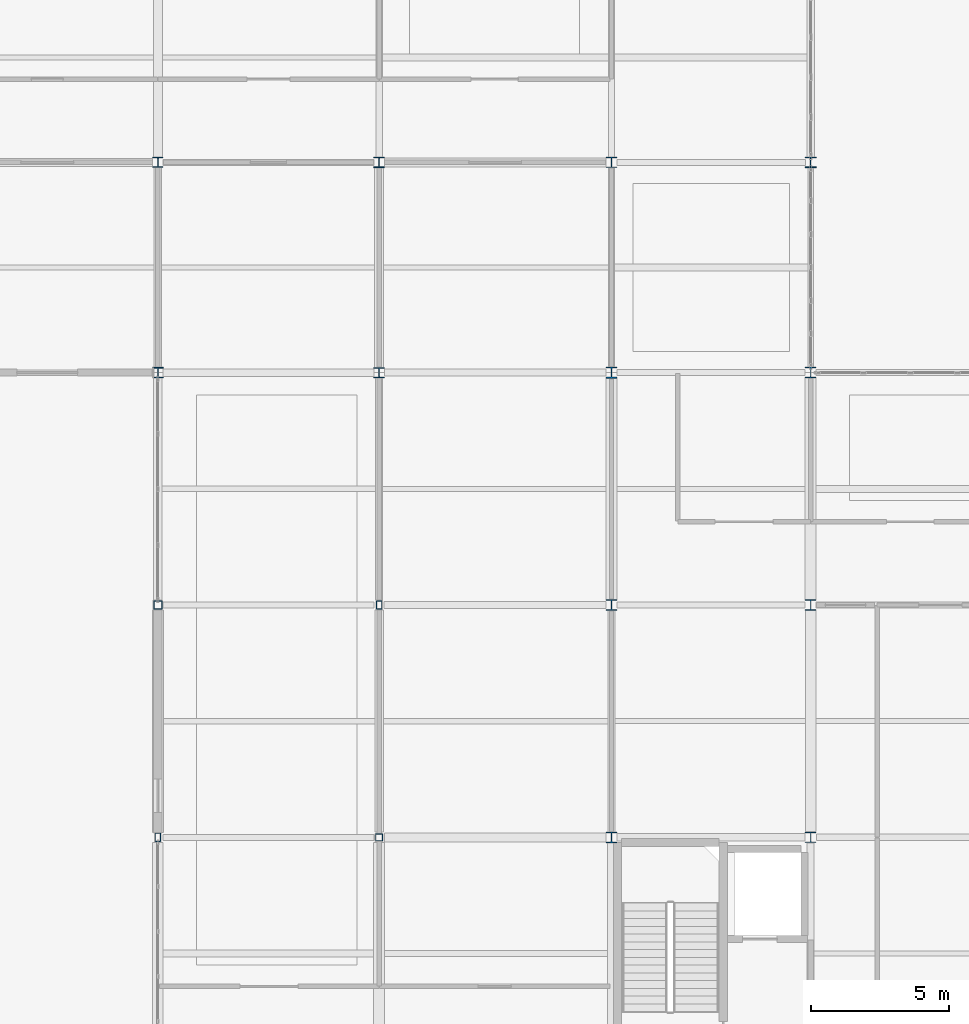
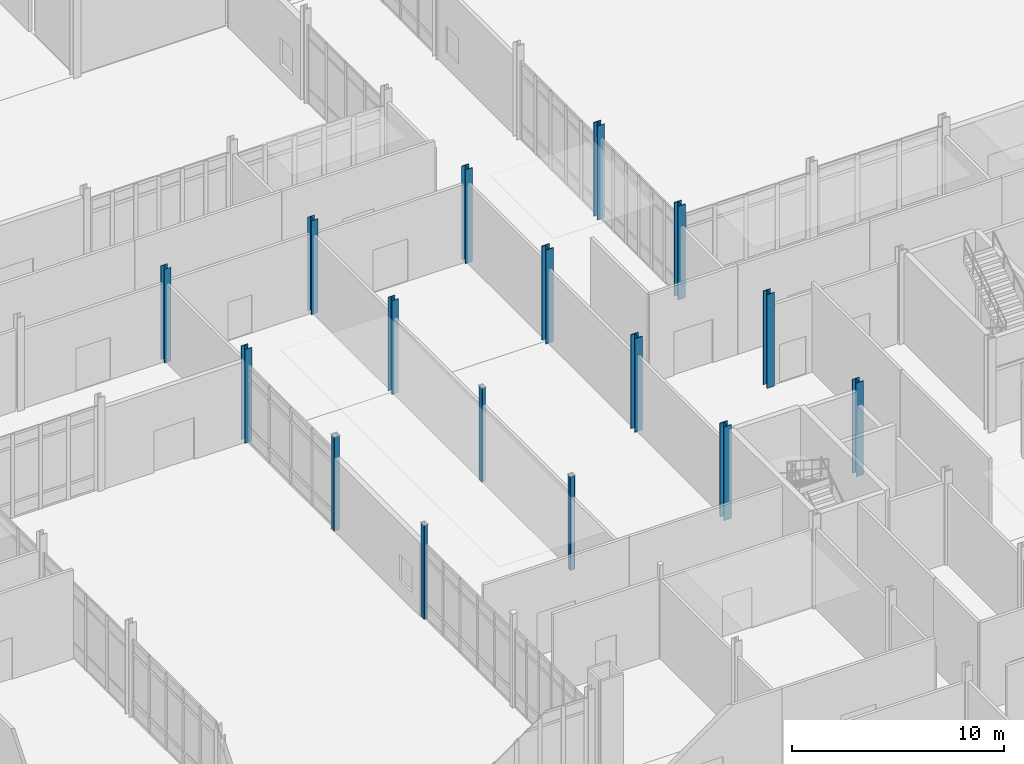
# One storey, part 7 of 229: 16 columns.
"""IFC4 building model written with IfcOpenShell, lengths in metres."""

from ifc_helpers import new_model, si_unit, direction, frame, origin, origin_2d, place, context, subcontext, project, spatial, hollow_rectangle, i_section, extrude, material, material_profile, profile_set, type_object, element, save


model = new_model("IFC4")

# Units and contexts
model_context = context("Model", 3, precision=1e-05, world=origin(), true_north=direction((0.0, 1.0)))
body_context = subcontext(model_context, "Body", "Model", "MODEL_VIEW")
ifc_project = project(units=[si_unit("LENGTHUNIT", "METRE"), si_unit("AREAUNIT", "SQUARE_METRE"), si_unit("VOLUMEUNIT", "CUBIC_METRE"), si_unit("PLANEANGLEUNIT", "RADIAN"), si_unit("MASSUNIT", "GRAM", prefix="KILO")], contexts=[model_context])

# Site, building, storey
site_placement = place(None, origin())
site = spatial("IfcSite", under=ifc_project, at=site_placement, CompositionType="ELEMENT")
building_placement = place(site_placement, origin())
building = spatial("IfcBuilding", under=site, at=building_placement, Name="Calvrana Isthmian Art Gallery", CompositionType="ELEMENT")
storey_placement = place(building_placement, origin())
storey = spatial("IfcBuildingStorey", under=building, at=storey_placement, Name="L00", CompositionType="ELEMENT", Elevation=0.0)

# Columns
ifc_material_1 = material(Name="Steel ASTM A500 Gr C", Category="steel")
ifc_material_profile_1 = material_profile(ifc_material_1, hollow_rectangle(XDim=0.25390625, YDim=0.25390625, WallThickness=0.0126953125, OuterFilletRadius=0.02490234375, at=origin_2d()), Name="HSS254X254X12.7")
ifc_profile_set_1 = profile_set([ifc_material_profile_1], Name="Steel ASTM A500 Gr C")
column_type_1 = type_object("IfcColumnType", Name="COL-STL-HSS254X254X12.7", PredefinedType="COLUMN", material=ifc_profile_set_1)
column_1_placement = place(storey_placement, frame((104.39990234375, 30.0, 0.0), z_axis=(0.0, 0.0, 1.0), x_axis=(1.0, 0.0, 0.0)))
element("IfcColumn", 1, at=column_1_placement, inside=storey, type_object=column_type_1, Name="Column 14/E L00", PredefinedType="COLUMN", context=body_context, shape_type="SweptSolid", body=[
    extrude(hollow_rectangle(XDim=0.25390625, YDim=0.25390625, WallThickness=0.0126953125, OuterFilletRadius=0.02490234375, at=origin_2d()), origin(), (0.0, 0.0, 1.0), 5.39990234375),
])
ifc_material_profile_2 = material_profile(ifc_material_1, hollow_rectangle(XDim=0.203125, YDim=0.3046875, WallThickness=0.0126953125, OuterFilletRadius=0.02490234375, at=origin_2d()), Name="HSS305X203X12.7")
ifc_profile_set_2 = profile_set([ifc_material_profile_2], Name="Steel ASTM A500 Gr C")
column_type_2 = type_object("IfcColumnType", Name="COL-STL-HSS305X203X12.7", PredefinedType="COLUMN", material=ifc_profile_set_2)
for number, where, z_axis, x_axis, name in (
    (2, (96.39990234375, 30.0, 0.0), (0.0, 0.0, 1.0), (1.0, 0.0, 0.0), "Column 13/E L00"),
    (3, (104.39990234375, 38.39990234375, 0.0), (0.0, 0.0, 1.0), (1.0, 0.0, 0.0), "Column 14/F L00"),
):
    element("IfcColumn", number, at=place(storey_placement, frame(where, z_axis=z_axis, x_axis=x_axis)), inside=storey, type_object=column_type_2, Name=name, PredefinedType="COLUMN", context=body_context, shape_type="SweptSolid", body=[
        extrude(hollow_rectangle(XDim=0.203125, YDim=0.3046875, WallThickness=0.0126953125, OuterFilletRadius=0.02490234375, at=origin_2d()), origin(), (0.0, 0.0, 1.0), 5.39990234375),
    ])
ifc_material_profile_3 = material_profile(ifc_material_1, hollow_rectangle(XDim=0.3046875, YDim=0.3046875, WallThickness=0.015869140625, OuterFilletRadius=0.031982421875, at=origin_2d()), Name="HSS305X305X15.9")
ifc_profile_set_3 = profile_set([ifc_material_profile_3], Name="Steel ASTM A500 Gr C")
column_type_3 = type_object("IfcColumnType", Name="COL-STL-HSS305X305X15.9", PredefinedType="COLUMN", material=ifc_profile_set_3)
column_2_placement = place(storey_placement, frame((96.39990234375, 38.39990234375, 0.0), z_axis=(0.0, 0.0, 1.0), x_axis=(1.0, 0.0, 0.0)))
element("IfcColumn", 4, at=column_2_placement, inside=storey, type_object=column_type_3, Name="Column 13/F L00", PredefinedType="COLUMN", context=body_context, shape_type="SweptSolid", body=[
    extrude(hollow_rectangle(XDim=0.3046875, YDim=0.3046875, WallThickness=0.015869140625, OuterFilletRadius=0.031982421875, at=origin_2d()), origin(), (0.0, 0.0, 1.0), 5.39990234375),
])
ifc_material_2 = material(Name="Steel ASTM A992 Gr 50", Category="steel")
ifc_material_profile_4 = material_profile(ifc_material_2, i_section(OverallWidth=0.373046875, OverallDepth=0.367919921875, WebThickness=0.014892578125, FlangeThickness=0.02392578125, FilletRadius=0.02490234375, at=origin_2d()), Name="W14X120")
ifc_profile_set_4 = profile_set([ifc_material_profile_4], Name="Steel ASTM A992 Gr 50")
column_type_4 = type_object("IfcColumnType", Name="COL-STL-W14X120", PredefinedType="COLUMN", material=ifc_profile_set_4)
column_3_placement = place(storey_placement, frame((104.39990234375, 46.800048828125, 0.0), z_axis=(0.0, 0.0, 1.0), x_axis=(1.0, 0.0, 0.0)))
element("IfcColumn", 5, at=column_3_placement, inside=storey, type_object=column_type_4, Name="Column 14/G L00", PredefinedType="COLUMN", context=body_context, shape_type="SweptSolid", body=[
    extrude(i_section(OverallWidth=0.373046875, OverallDepth=0.367919921875, WebThickness=0.014892578125, FlangeThickness=0.02392578125, FilletRadius=0.02490234375, at=origin_2d()), origin(), (0.0, 0.0, 1.0), 5.39990234375),
])
ifc_material_profile_5 = material_profile(ifc_material_2, i_section(OverallWidth=0.373046875, OverallDepth=0.373046875, WebThickness=0.016357421875, FlangeThickness=0.026123046875, FilletRadius=0.02490234375, at=origin_2d()), Name="W14X132")
ifc_profile_set_5 = profile_set([ifc_material_profile_5], Name="Steel ASTM A992 Gr 50")
column_type_5 = type_object("IfcColumnType", Name="COL-STL-W14X132", PredefinedType="COLUMN", material=ifc_profile_set_5)
for number, where, z_axis, x_axis, name in (
    (6, (96.39990234375, 46.800048828125, 0.0), (0.0, 0.0, 1.0), (1.0, 0.0, 0.0), "Column 13/G L00"),
    (7, (104.39990234375, 54.39990234375, 0.0), (0.0, 0.0, 1.0), (1.0, 0.0, 0.0), "Column 14/H L00"),
):
    element("IfcColumn", number, at=place(storey_placement, frame(where, z_axis=z_axis, x_axis=x_axis)), inside=storey, type_object=column_type_5, Name=name, PredefinedType="COLUMN", context=body_context, shape_type="SweptSolid", body=[
        extrude(i_section(OverallWidth=0.373046875, OverallDepth=0.373046875, WebThickness=0.016357421875, FlangeThickness=0.026123046875, FilletRadius=0.02490234375, at=origin_2d()), origin(), (0.0, 0.0, 1.0), 5.39990234375),
    ])
ifc_material_profile_6 = material_profile(ifc_material_2, i_section(OverallWidth=0.39404296875, OverallDepth=0.3759765625, WebThickness=0.017333984375, FlangeThickness=0.027587890625, FilletRadius=0.02490234375, at=origin_2d()), Name="W14X145")
ifc_profile_set_6 = profile_set([ifc_material_profile_6], Name="Steel ASTM A992 Gr 50")
column_type_6 = type_object("IfcColumnType", Name="COL-STL-W14X145", PredefinedType="COLUMN", material=ifc_profile_set_6)
column_4_placement = place(storey_placement, frame((120.0, 54.39990234375, 0.0), z_axis=(0.0, 0.0, 1.0), x_axis=(1.0, 0.0, 0.0)))
element("IfcColumn", 8, at=column_4_placement, inside=storey, type_object=column_type_6, Name="Column 16/H L00", PredefinedType="COLUMN", context=body_context, shape_type="SweptSolid", body=[
    extrude(i_section(OverallWidth=0.39404296875, OverallDepth=0.3759765625, WebThickness=0.017333984375, FlangeThickness=0.027587890625, FilletRadius=0.02490234375, at=origin_2d()), origin(), (0.0, 0.0, 1.0), 5.39990234375),
])
ifc_material_profile_7 = material_profile(ifc_material_2, i_section(OverallWidth=0.39599609375, OverallDepth=0.381103515625, WebThickness=0.018798828125, FlangeThickness=0.0302734375, FilletRadius=0.02490234375, at=origin_2d()), Name="W14X159")
ifc_profile_set_7 = profile_set([ifc_material_profile_7], Name="Steel ASTM A992 Gr 50")
column_type_7 = type_object("IfcColumnType", Name="COL-STL-W14X159", PredefinedType="COLUMN", material=ifc_profile_set_7)
column_5_placement = place(storey_placement, frame((112.800048828125, 54.39990234375, 0.0), z_axis=(0.0, 0.0, 1.0), x_axis=(1.0, 0.0, 0.0)))
element("IfcColumn", 9, at=column_5_placement, inside=storey, type_object=column_type_7, Name="Column 15/H L00", PredefinedType="COLUMN", context=body_context, shape_type="SweptSolid", body=[
    extrude(i_section(OverallWidth=0.39599609375, OverallDepth=0.381103515625, WebThickness=0.018798828125, FlangeThickness=0.0302734375, FilletRadius=0.02490234375, at=origin_2d()), origin(), (0.0, 0.0, 1.0), 5.39990234375),
])
ifc_material_profile_8 = material_profile(ifc_material_2, i_section(OverallWidth=0.39892578125, OverallDepth=0.385986328125, WebThickness=0.02099609375, FlangeThickness=0.033203125, FilletRadius=0.02490234375, at=origin_2d()), Name="W14X176")
ifc_profile_set_8 = profile_set([ifc_material_profile_8], Name="Steel ASTM A992 Gr 50")
column_type_8 = type_object("IfcColumnType", Name="COL-STL-W14X176", PredefinedType="COLUMN", material=ifc_profile_set_8)
column_6_placement = place(storey_placement, frame((120.0, 30.0, 0.0), z_axis=(0.0, 0.0, 1.0), x_axis=(1.0, 0.0, 0.0)))
element("IfcColumn", 10, at=column_6_placement, inside=storey, type_object=column_type_8, Name="Column 16/E L00", PredefinedType="COLUMN", context=body_context, shape_type="SweptSolid", body=[
    extrude(i_section(OverallWidth=0.39892578125, OverallDepth=0.385986328125, WebThickness=0.02099609375, FlangeThickness=0.033203125, FilletRadius=0.02490234375, at=origin_2d()), origin(), (0.0, 0.0, 1.0), 5.39990234375),
])
ifc_material_profile_9 = material_profile(ifc_material_2, i_section(OverallWidth=0.39892578125, OverallDepth=0.39404296875, WebThickness=0.022705078125, FlangeThickness=0.03662109375, FilletRadius=0.02490234375, at=origin_2d()), Name="W14X193")
ifc_profile_set_9 = profile_set([ifc_material_profile_9], Name="Steel ASTM A992 Gr 50")
column_type_9 = type_object("IfcColumnType", Name="COL-STL-W14X193", PredefinedType="COLUMN", material=ifc_profile_set_9)
column_7_placement = place(storey_placement, frame((120.0, 38.39990234375, 0.0), z_axis=(0.0, 0.0, 1.0), x_axis=(1.0, 0.0, 0.0)))
element("IfcColumn", 11, at=column_7_placement, inside=storey, type_object=column_type_9, Name="Column 16/F L00", PredefinedType="COLUMN", context=body_context, shape_type="SweptSolid", body=[
    extrude(i_section(OverallWidth=0.39892578125, OverallDepth=0.39404296875, WebThickness=0.022705078125, FlangeThickness=0.03662109375, FilletRadius=0.02490234375, at=origin_2d()), origin(), (0.0, 0.0, 1.0), 5.39990234375),
])
ifc_material_profile_10 = material_profile(ifc_material_2, i_section(OverallWidth=0.40087890625, OverallDepth=0.39892578125, WebThickness=0.02490234375, FlangeThickness=0.03955078125, FilletRadius=0.02490234375, at=origin_2d()), Name="W14X211")
ifc_profile_set_10 = profile_set([ifc_material_profile_10], Name="Steel ASTM A992 Gr 50")
column_type_10 = type_object("IfcColumnType", Name="COL-STL-W14X211", PredefinedType="COLUMN", material=ifc_profile_set_10)
for number, where, z_axis, x_axis, name in (
    (12, (112.800048828125, 30.0, 0.0), (0.0, 0.0, 1.0), (1.0, 0.0, 0.0), "Column 15/E L00"),
    (13, (120.0, 46.800048828125, 0.0), (0.0, 0.0, 1.0), (1.0, 0.0, 0.0), "Column 16/G L00"),
):
    element("IfcColumn", number, at=place(storey_placement, frame(where, z_axis=z_axis, x_axis=x_axis)), inside=storey, type_object=column_type_10, Name=name, PredefinedType="COLUMN", context=body_context, shape_type="SweptSolid", body=[
        extrude(i_section(OverallWidth=0.40087890625, OverallDepth=0.39892578125, WebThickness=0.02490234375, FlangeThickness=0.03955078125, FilletRadius=0.02490234375, at=origin_2d()), origin(), (0.0, 0.0, 1.0), 5.39990234375),
    ])
ifc_material_profile_11 = material_profile(ifc_material_2, i_section(OverallWidth=0.404052734375, OverallDepth=0.406005859375, WebThickness=0.027099609375, FlangeThickness=0.043701171875, FilletRadius=0.02490234375, at=origin_2d()), Name="W14X233")
ifc_profile_set_11 = profile_set([ifc_material_profile_11], Name="Steel ASTM A992 Gr 50")
column_type_11 = type_object("IfcColumnType", Name="COL-STL-W14X233", PredefinedType="COLUMN", material=ifc_profile_set_11)
column_8_placement = place(storey_placement, frame((112.800048828125, 38.39990234375, 0.0), z_axis=(0.0, 0.0, 1.0), x_axis=(1.0, 0.0, 0.0)))
element("IfcColumn", 14, at=column_8_placement, inside=storey, type_object=column_type_11, Name="Column 15/F L00", PredefinedType="COLUMN", context=body_context, shape_type="SweptSolid", body=[
    extrude(i_section(OverallWidth=0.404052734375, OverallDepth=0.406005859375, WebThickness=0.027099609375, FlangeThickness=0.043701171875, FilletRadius=0.02490234375, at=origin_2d()), origin(), (0.0, 0.0, 1.0), 5.39990234375),
])
ifc_material_profile_12 = material_profile(ifc_material_2, i_section(OverallWidth=0.406005859375, OverallDepth=0.4169921875, WebThickness=0.02978515625, FlangeThickness=0.048095703125, FilletRadius=0.02490234375, at=origin_2d()), Name="W14X257")
ifc_profile_set_12 = profile_set([ifc_material_profile_12], Name="Steel ASTM A992 Gr 50")
column_type_12 = type_object("IfcColumnType", Name="COL-STL-W14X257", PredefinedType="COLUMN", material=ifc_profile_set_12)
column_9_placement = place(storey_placement, frame((112.800048828125, 46.800048828125, 0.0), z_axis=(0.0, 0.0, 1.0), x_axis=(1.0, 0.0, 0.0)))
element("IfcColumn", 15, at=column_9_placement, inside=storey, type_object=column_type_12, Name="Column 15/G L00", PredefinedType="COLUMN", context=body_context, shape_type="SweptSolid", body=[
    extrude(i_section(OverallWidth=0.406005859375, OverallDepth=0.4169921875, WebThickness=0.02978515625, FlangeThickness=0.048095703125, FilletRadius=0.02490234375, at=origin_2d()), origin(), (0.0, 0.0, 1.0), 5.39990234375),
])
ifc_material_profile_13 = material_profile(ifc_material_2, i_section(OverallWidth=0.367919921875, OverallDepth=0.35595703125, WebThickness=0.01123046875, FlangeThickness=0.01806640625, FilletRadius=0.02490234375, at=origin_2d()), Name="W14X90")
ifc_profile_set_13 = profile_set([ifc_material_profile_13], Name="Steel ASTM A992 Gr 50")
column_type_13 = type_object("IfcColumnType", Name="COL-STL-W14X90", PredefinedType="COLUMN", material=ifc_profile_set_13)
column_10_placement = place(storey_placement, frame((96.39990234375, 54.39990234375, 0.0), z_axis=(0.0, 0.0, 1.0), x_axis=(1.0, 0.0, 0.0)))
element("IfcColumn", 16, at=column_10_placement, inside=storey, type_object=column_type_13, Name="Column 13/H L00", PredefinedType="COLUMN", context=body_context, shape_type="SweptSolid", body=[
    extrude(i_section(OverallWidth=0.367919921875, OverallDepth=0.35595703125, WebThickness=0.01123046875, FlangeThickness=0.01806640625, FilletRadius=0.02490234375, at=origin_2d()), origin(), (0.0, 0.0, 1.0), 5.39990234375),
])

save(model, "model.ifc")
